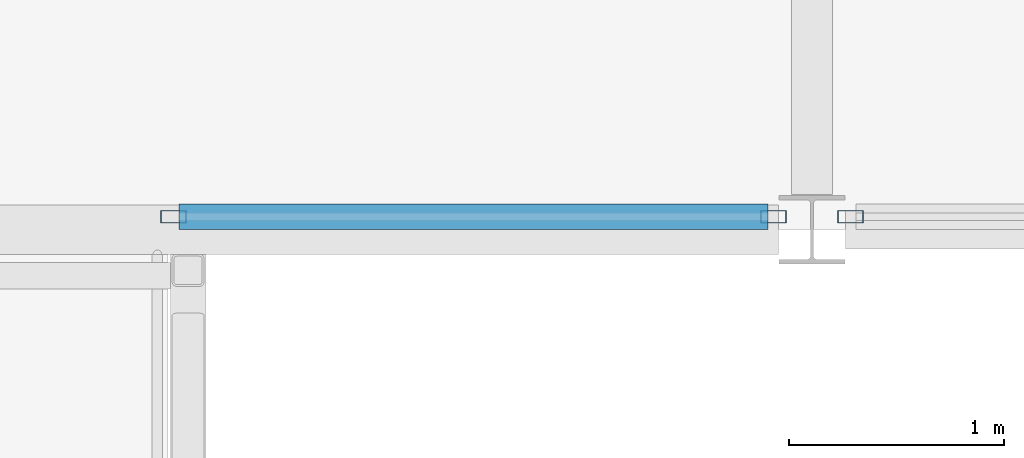
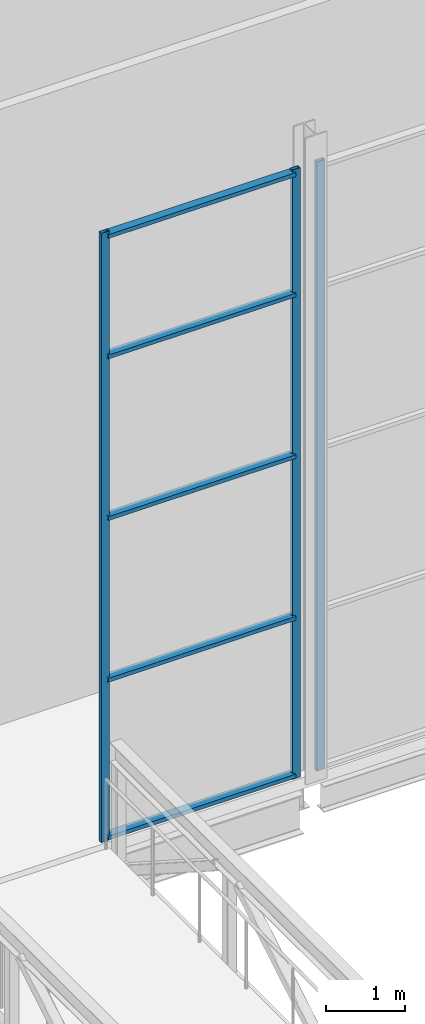
# One storey, part 50 of 111: 8 members, 2 elements without a shape of their own.
"""IFC4 building model written with IfcOpenShell, lengths in metres."""

from ifc_helpers import new_model, si_unit, direction, frame, origin, origin_2d, place, context, subcontext, project, spatial, hollow_rectangle, extrude, material, layer, layer_set, material_profile, profile_set, type_object, element, aggregate, save


model = new_model("IFC4")

# Units and contexts
model_context = context("Model", 3, precision=1e-05, world=origin(), true_north=direction((0.0, 1.0)))
body_context = subcontext(model_context, "Body", "Model", "MODEL_VIEW")
ifc_project = project(units=[si_unit("LENGTHUNIT", "METRE"), si_unit("AREAUNIT", "SQUARE_METRE"), si_unit("VOLUMEUNIT", "CUBIC_METRE"), si_unit("PLANEANGLEUNIT", "RADIAN"), si_unit("MASSUNIT", "GRAM", prefix="KILO")], contexts=[model_context])

# Site, building, storey
site_placement = place(None, origin())
site = spatial("IfcSite", under=ifc_project, at=site_placement, CompositionType="ELEMENT")
building_placement = place(site_placement, origin())
building = spatial("IfcBuilding", under=site, at=building_placement, Name="Shorebreak Coast Museum", CompositionType="ELEMENT")
storey_placement = place(building_placement, frame((0.0, 0.0, 16.0)))
storey = spatial("IfcBuildingStorey", under=building, at=storey_placement, Name="L03", CompositionType="ELEMENT", Elevation=16.0)

# Curtain wall, members
ifc_material_1 = material(Name="Aluminium", Category="aluminium")
ifc_layer = layer(ifc_material_1, 0.1201171875)
ifc_layer_set = layer_set([ifc_layer], Name="Aluminium")
curtain_wall_type = type_object("IfcCurtainWallType", Name="Atrium fire screen", PredefinedType="NOTDEFINED", material=ifc_layer_set)
curtain_wall_1_placement = place(storey_placement, origin())
curtain_wall_1 = element("IfcCurtainWall", 1, at=curtain_wall_1_placement, inside=storey, type_object=curtain_wall_type, Name="Atrium screen L03 N 42", PredefinedType="NOTDEFINED")
ifc_material_2 = material(Name="Aluminium", Category="aluminium")
ifc_material_profile_1 = material_profile(ifc_material_2, hollow_rectangle(XDim=0.06005859375, YDim=0.1201171875, WallThickness=0.00341796875, at=origin_2d()), Name="AL 120x60 RHS")
ifc_profile_set_1 = profile_set([ifc_material_profile_1], Name="Aluminium")
member_type_1 = type_object("IfcMemberType", Name="Screen mullion 50 x 120", PredefinedType="MULLION", material=ifc_profile_set_1)
member_1_placement = place(storey_placement, frame((87.02490234375, 81.06005859375, 0.0), z_axis=(0.0, 0.0, 1.0), x_axis=(0.0, 1.0, 0.0)))
member_1 = element("IfcMember", 2, at=member_1_placement, type_object=member_type_1, Name="CW4 mullion 1", PredefinedType="MULLION", context=body_context, shape_type="SweptSolid", body=[
    extrude(hollow_rectangle(XDim=0.06005859375, YDim=0.1201171875, WallThickness=0.00341796875, at=origin_2d()), origin(), (0.0, 0.0, 1.0), 9.42236328125),
])
member_2_placement = place(storey_placement, frame((89.820556640625, 81.06005859375, 0.0), z_axis=(0.0, 0.0, 1.0), x_axis=(0.0, 1.0, 0.0)))
member_2 = element("IfcMember", 3, at=member_2_placement, type_object=member_type_1, Name="CW4 mullion 2", PredefinedType="MULLION", context=body_context, shape_type="SweptSolid", body=[
    extrude(hollow_rectangle(XDim=0.06005859375, YDim=0.1201171875, WallThickness=0.00341796875, at=origin_2d()), origin(), (0.0, 0.0, 1.0), 9.42236328125),
])

# Curtain wall, member
curtain_wall_2_placement = place(storey_placement, origin())
curtain_wall_2 = element("IfcCurtainWall", 4, at=curtain_wall_2_placement, inside=storey, type_object=curtain_wall_type, Name="Atrium screen L03 N 43", PredefinedType="NOTDEFINED")
member_3_placement = place(storey_placement, frame((90.179443359375, 81.06005859375, 0.0), z_axis=(0.0, 0.0, 1.0), x_axis=(0.0, 1.0, 0.0)))
member_3 = element("IfcMember", 5, at=member_3_placement, type_object=member_type_1, Name="CW5 mullion 1", PredefinedType="MULLION", context=body_context, shape_type="SweptSolid", body=[
    extrude(hollow_rectangle(XDim=0.06005859375, YDim=0.1201171875, WallThickness=0.00341796875, at=origin_2d()), origin(), (0.0, 0.0, 1.0), 9.42236328125),
])
aggregate(curtain_wall_2, [member_3])

# Member
ifc_material_3 = material(Name="Aluminium", Category="aluminium")
ifc_material_profile_2 = material_profile(ifc_material_3, hollow_rectangle(XDim=0.1201171875, YDim=0.06005859375, WallThickness=0.00341796875, at=origin_2d()), Name="AL 60x120 RHS")
ifc_profile_set_2 = profile_set([ifc_material_profile_2], Name="Aluminium")
member_type_2 = type_object("IfcMemberType", Name="Screen transom 120 x 50", PredefinedType="USERDEFINED", material=ifc_profile_set_2)
member_4_placement = place(storey_placement, frame((87.050048828125, 81.06005859375, 0.06005859375), z_axis=(1.0, 0.0, 0.0), x_axis=(0.0, 1.0, 0.0)))
member_4 = element("IfcMember", 6, at=member_4_placement, type_object=member_type_2, Name="CW4 transom 1.1", ObjectType="TRANSOM", PredefinedType="USERDEFINED", context=body_context, shape_type="SweptSolid", body=[
    extrude(hollow_rectangle(XDim=0.1201171875, YDim=0.06005859375, WallThickness=0.00341796875, at=origin_2d()), origin(), (0.0, 0.0, 1.0), 2.745361328125),
])

member_5_placement = place(storey_placement, frame((87.050048828125, 81.06005859375, 2.5), z_axis=(1.0, 0.0, 0.0), x_axis=(0.0, 1.0, 0.0)))
member_5 = element("IfcMember", 7, at=member_5_placement, type_object=member_type_2, Name="CW4 transom 1.2", ObjectType="TRANSOM", PredefinedType="USERDEFINED", context=body_context, shape_type="SweptSolid", body=[
    extrude(hollow_rectangle(XDim=0.1201171875, YDim=0.06005859375, WallThickness=0.00341796875, at=origin_2d()), origin(), (0.0, 0.0, 1.0), 2.745361328125),
])

member_6_placement = place(storey_placement, frame((87.050048828125, 81.06005859375, 5.0), z_axis=(1.0, 0.0, 0.0), x_axis=(0.0, 1.0, 0.0)))
member_6 = element("IfcMember", 8, at=member_6_placement, type_object=member_type_2, Name="CW4 transom 1.3", ObjectType="TRANSOM", PredefinedType="USERDEFINED", context=body_context, shape_type="SweptSolid", body=[
    extrude(hollow_rectangle(XDim=0.1201171875, YDim=0.06005859375, WallThickness=0.00341796875, at=origin_2d()), origin(), (0.0, 0.0, 1.0), 2.745361328125),
])

member_7_placement = place(storey_placement, frame((87.050048828125, 81.06005859375, 7.5), z_axis=(1.0, 0.0, 0.0), x_axis=(0.0, 1.0, 0.0)))
member_7 = element("IfcMember", 9, at=member_7_placement, type_object=member_type_2, Name="CW4 transom 1.4", ObjectType="TRANSOM", PredefinedType="USERDEFINED", context=body_context, shape_type="SweptSolid", body=[
    extrude(hollow_rectangle(XDim=0.1201171875, YDim=0.06005859375, WallThickness=0.00341796875, at=origin_2d()), origin(), (0.0, 0.0, 1.0), 2.745361328125),
])

member_8_placement = place(storey_placement, frame((87.050048828125, 81.06005859375, 9.3623046875), z_axis=(1.0, 0.0, 0.0), x_axis=(0.0, 1.0, 0.0)))
member_8 = element("IfcMember", 10, at=member_8_placement, type_object=member_type_2, Name="CW4 transom 1.5", ObjectType="TRANSOM", PredefinedType="USERDEFINED", context=body_context, shape_type="SweptSolid", body=[
    extrude(hollow_rectangle(XDim=0.1201171875, YDim=0.06005859375, WallThickness=0.00341796875, at=origin_2d()), origin(), (0.0, 0.0, 1.0), 2.745361328125),
])

aggregate(curtain_wall_1, [member_1, member_2, member_4, member_5, member_6, member_7, member_8])

save(model, "model.ifc")
